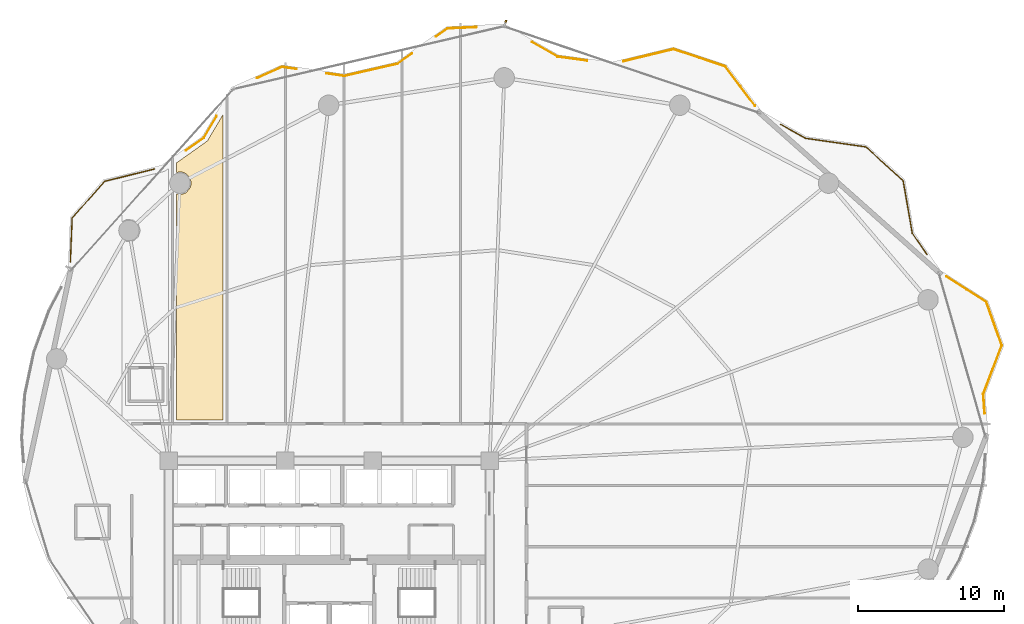
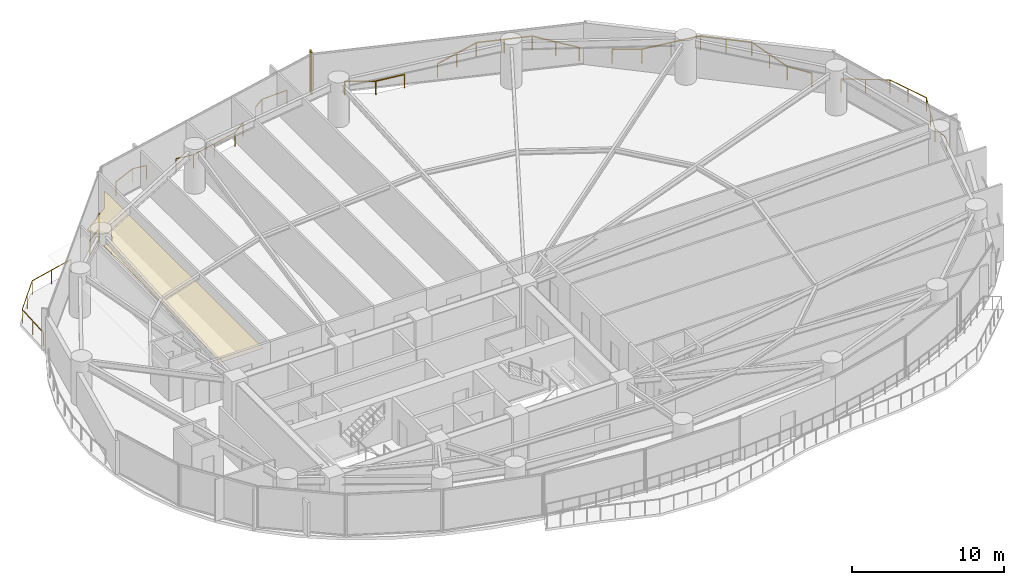
# One storey, part 31 of 31: 9 railings, 1 covering, 1 shading device.
"""IFC4 building model written with IfcOpenShell, lengths in metres."""

from ifc_helpers import new_model, si_unit, direction, frame, origin, origin_2d, place, context, subcontext, project, spatial, polyline, rectangle, outline, extrude, material, layer, layer_set, type_object, element, save


model = new_model("IFC4")

# Units and contexts
model_context = context("Model", 3, precision=1e-05, world=origin(), true_north=direction((0.0, 1.0)))
body_context = subcontext(model_context, "Body", "Model", "MODEL_VIEW")
ifc_project = project(units=[si_unit("LENGTHUNIT", "METRE"), si_unit("AREAUNIT", "SQUARE_METRE"), si_unit("VOLUMEUNIT", "CUBIC_METRE"), si_unit("PLANEANGLEUNIT", "RADIAN"), si_unit("MASSUNIT", "GRAM", prefix="KILO")], contexts=[model_context])

# Site, building, storey
site_placement = place(None, origin())
site = spatial("IfcSite", under=ifc_project, at=site_placement, CompositionType="ELEMENT")
building_placement = place(site_placement, origin())
building = spatial("IfcBuilding", under=site, at=building_placement, Name="Kazevale Care Tower and Concert Hall", CompositionType="ELEMENT")
storey_placement = place(building_placement, frame((0.0, 0.0, 81.60009765625)))
storey = spatial("IfcBuildingStorey", under=building, at=storey_placement, Name="L21", CompositionType="ELEMENT", Elevation=81.60009765625)

# Covering
ifc_material_1 = material(Name="Acoustic Plaster and Hinoki Wood", Category="wood")
ifc_layer = layer(ifc_material_1, 0.0400390625)
ifc_layer_set = layer_set([ifc_layer], Name="Acoustic Plaster and Hinoki Wood")
covering_type = type_object("IfcCoveringType", Name="Acoustic Perforated Wood-Gypsum Ceiling", PredefinedType="CEILING", material=ifc_layer_set)
covering_placement = place(storey_placement, frame((0.0, 0.0, 2.7099609375)))
element("IfcCovering", 1, at=covering_placement, inside=storey, type_object=covering_type, Name="clg:L21:2", PredefinedType="CEILING", context=body_context, shape_type="SweptSolid", body=[
    extrude(outline(polyline([(22.530029296875, 39.205078125), (22.530029296875, 54.68896484375), (22.912109375, 54.6650390625), (23.193115234375, 54.781005859375), (23.48095703125, 55.132080078125), (23.5400390625, 55.429931640625), (23.48095703125, 55.72802734375), (23.193115234375, 56.0791015625), (22.912109375, 56.195068359375), (22.530029296875, 56.1708984375), (22.530029296875, 56.818115234375), (24.64599609375, 58.322021484375), (25.719970703125, 60.1298828125), (25.719970703125, 39.205078125), (22.530029296875, 39.205078125)])), origin(), (0.0, 0.0, 1.0), 0.0400390625),
])

# Railings
ifc_material_2 = material(Name="Anodised Bronze Aluminium and Laminated Glass", Category="aluminium")
railing_type = type_object("IfcRailingType", Name="Balcony and Terrace Balustrade 1120", PredefinedType="BALUSTRADE", material=ifc_material_2)
railing_1_placement = place(storey_placement, frame((15.251953125, 50.034912109375, 0.0)))
element("IfcRailing", 2, at=railing_1_placement, inside=storey, type_object=railing_type, Name="rail:L21:perim:2", PredefinedType="BALUSTRADE", context=body_context, shape_type="SweptSolid", body=[
    extrude(rectangle(XDim=0.048095703125, YDim=0.048095703125, at=origin_2d()), frame((0.0, 0.0, 1.09619140625), z_axis=(0.041074605667, 0.999156082286, 0.0), x_axis=(-0.999156082286, 0.041074605667, 0.0)), (0.0, 0.0, 1.0), 2.99560546875),
    extrude(rectangle(XDim=0.048095703125, YDim=0.048095703125, at=origin_2d()), frame((0.123046875, 2.9931640625, 1.09619140625), z_axis=(0.660590227041, 0.750746662955, 0.0), x_axis=(-0.750746662955, 0.660590227041, 0.0)), (0.0, 0.0, 1.0), 3.360595703125),
    extrude(rectangle(XDim=0.048095703125, YDim=0.048095703125, at=origin_2d()), frame((2.343017578125, 5.51611328125, 1.09619140625), z_axis=(0.970746118015, 0.2401082555, 0.0), x_axis=(-0.2401082555, 0.970746118015, 0.0)), (0.0, 0.0, 1.0), 3.52734375),
    extrude(rectangle(XDim=0.0419921875, YDim=0.0419921875, at=origin_2d()), origin(), (0.0, 0.0, 1.0), 1.072021484375),
    extrude(rectangle(XDim=0.0419921875, YDim=0.0419921875, at=origin_2d()), frame((0.0615234375, 1.49658203125, 0.0)), (0.0, 0.0, 1.0), 1.072021484375),
    extrude(rectangle(XDim=0.0419921875, YDim=0.0419921875, at=origin_2d()), frame((0.123046875, 2.9931640625, 0.0)), (0.0, 0.0, 1.0), 1.072021484375),
    extrude(rectangle(XDim=0.0419921875, YDim=0.0419921875, at=origin_2d()), frame((1.23291015625, 4.254638671875, 0.0)), (0.0, 0.0, 1.0), 1.072021484375),
    extrude(rectangle(XDim=0.0419921875, YDim=0.0419921875, at=origin_2d()), frame((2.343017578125, 5.51611328125, 0.0)), (0.0, 0.0, 1.0), 1.072021484375),
    extrude(rectangle(XDim=0.0419921875, YDim=0.0419921875, at=origin_2d()), frame((4.05517578125, 5.939453125, 0.0)), (0.0, 0.0, 1.0), 1.072021484375),
    extrude(rectangle(XDim=0.0419921875, YDim=0.0419921875, at=origin_2d()), frame((5.76708984375, 6.363037109375, 0.0)), (0.0, 0.0, 1.0), 1.072021484375),
])
railing_2_placement = place(storey_placement, frame((23.18310546875, 57.675048828125, 0.0)))
element("IfcRailing", 3, at=railing_2_placement, inside=storey, type_object=railing_type, Name="rail:L21:perim:3", PredefinedType="BALUSTRADE", context=body_context, shape_type="SweptSolid", body=[
    extrude(rectangle(XDim=0.048095703125, YDim=0.048095703125, at=origin_2d()), frame((0.0, 0.0, 1.09619140625), z_axis=(0.815271476447, 0.579078940813, 0.0), x_axis=(-0.579078940813, 0.815271476447, 0.0)), (0.0, 0.0, 1.0), 1.498779296875),
    extrude(rectangle(XDim=0.048095703125, YDim=0.048095703125, at=origin_2d()), frame((1.221923828125, 0.867919921875, 1.09619140625), z_axis=(0.510989983653, 0.85958666614, 0.0), x_axis=(-0.85958666614, 0.510989983653, 0.0)), (0.0, 0.0, 1.0), 1.71240234375),
    extrude(rectangle(XDim=0.0419921875, YDim=0.0419921875, at=origin_2d()), origin(), (0.0, 0.0, 1.0), 1.072021484375),
    extrude(rectangle(XDim=0.0419921875, YDim=0.0419921875, at=origin_2d()), frame((1.221923828125, 0.867919921875, 0.0)), (0.0, 0.0, 1.0), 1.072021484375),
    extrude(rectangle(XDim=0.0419921875, YDim=0.0419921875, at=origin_2d()), frame((2.096923828125, 2.33984375, 0.0)), (0.0, 0.0, 1.0), 1.072021484375),
])
railing_3_placement = place(storey_placement, frame((28.0439453125, 62.62890625, 0.0)))
element("IfcRailing", 4, at=railing_3_placement, inside=storey, type_object=railing_type, Name="rail:L21:perim:4", PredefinedType="BALUSTRADE", context=body_context, shape_type="SweptSolid", body=[
    extrude(rectangle(XDim=0.048095703125, YDim=0.048095703125, at=origin_2d()), frame((0.0, 0.0, 1.09619140625), z_axis=(0.913352559242, 0.407169623777, 0.0), x_axis=(-0.407169623777, 0.913352559242, 0.0)), (0.0, 0.0, 1.0), 1.888671875),
    extrude(rectangle(XDim=0.048095703125, YDim=0.048095703125, at=origin_2d()), frame((1.72509765625, 0.76904296875, 1.09619140625), z_axis=(0.989558795052, -0.144129771854, 0.0), x_axis=(0.144129771854, 0.989558795052, 0.0)), (0.0, 0.0, 1.0), 0.984130859375),
    extrude(rectangle(XDim=0.0419921875, YDim=0.0419921875, at=origin_2d()), origin(), (0.0, 0.0, 1.0), 1.072021484375),
    extrude(rectangle(XDim=0.0419921875, YDim=0.0419921875, at=origin_2d()), frame((1.72509765625, 0.76904296875, 0.0)), (0.0, 0.0, 1.0), 1.072021484375),
    extrude(rectangle(XDim=0.0419921875, YDim=0.0419921875, at=origin_2d()), frame((2.698974609375, 0.627197265625, 0.0)), (0.0, 0.0, 1.0), 1.072021484375),
])
railing_4_placement = place(storey_placement, frame((32.80810546875, 62.9560546875, 0.0)))
element("IfcRailing", 5, at=railing_4_placement, inside=storey, type_object=railing_type, Name="rail:L21:perim:5", PredefinedType="BALUSTRADE", context=body_context, shape_type="SweptSolid", body=[
    extrude(rectangle(XDim=0.048095703125, YDim=0.048095703125, at=origin_2d()), frame((0.0, 0.0, 1.09619140625), z_axis=(0.989473394726, -0.144714896018, 0.0), x_axis=(0.144714896018, 0.989473394726, 0.0)), (0.0, 0.0, 1.0), 1.2451171875),
    extrude(rectangle(XDim=0.048095703125, YDim=0.048095703125, at=origin_2d()), frame((1.23193359375, -0.18017578125, 1.09619140625), z_axis=(0.974721611797, 0.223422871469, 0.0), x_axis=(-0.223422871469, 0.974721611797, 0.0)), (0.0, 0.0, 1.0), 3.72412109375),
    extrude(rectangle(XDim=0.048095703125, YDim=0.048095703125, at=origin_2d()), frame((4.86181640625, 0.65185546875, 1.09619140625), z_axis=(0.817531019455, 0.575884565021, 0.0), x_axis=(-0.575884565021, 0.817531019455, 0.0)), (0.0, 0.0, 1.0), 1.236572265625),
    extrude(rectangle(XDim=0.0419921875, YDim=0.0419921875, at=origin_2d()), origin(), (0.0, 0.0, 1.0), 1.072021484375),
    extrude(rectangle(XDim=0.0419921875, YDim=0.0419921875, at=origin_2d()), frame((1.23193359375, -0.18017578125, 0.0)), (0.0, 0.0, 1.0), 1.072021484375),
    extrude(rectangle(XDim=0.0419921875, YDim=0.0419921875, at=origin_2d()), frame((3.046875, 0.23583984375, 0.0)), (0.0, 0.0, 1.0), 1.072021484375),
    extrude(rectangle(XDim=0.0419921875, YDim=0.0419921875, at=origin_2d()), frame((4.86181640625, 0.65185546875, 0.0)), (0.0, 0.0, 1.0), 1.072021484375),
    extrude(rectangle(XDim=0.0419921875, YDim=0.0419921875, at=origin_2d()), frame((5.872802734375, 1.364013671875, 0.0)), (0.0, 0.0, 1.0), 1.072021484375),
])
railing_5_placement = place(storey_placement, frame((40.33203125, 65.48388671875, 0.0)))
element("IfcRailing", 6, at=railing_5_placement, inside=storey, type_object=railing_type, Name="rail:L21:perim:6", PredefinedType="BALUSTRADE", context=body_context, shape_type="SweptSolid", body=[
    extrude(rectangle(XDim=0.048095703125, YDim=0.048095703125, at=origin_2d()), frame((0.0, 0.0, 1.09619140625), z_axis=(0.81724423362, 0.576291473661, 0.0), x_axis=(-0.576291473661, 0.81724423362, 0.0)), (0.0, 0.0, 1.0), 0.954345703125),
    extrude(rectangle(XDim=0.048095703125, YDim=0.048095703125, at=origin_2d()), frame((0.780029296875, 0.550048828125, 1.09619140625), z_axis=(0.998979482106, 0.045166296416, 0.0), x_axis=(-0.045166296416, 0.998979482106, 0.0)), (0.0, 0.0, 1.0), 1.972900390625),
    extrude(rectangle(XDim=0.0419921875, YDim=0.0419921875, at=origin_2d()), origin(), (0.0, 0.0, 1.0), 1.072021484375),
    extrude(rectangle(XDim=0.0419921875, YDim=0.0419921875, at=origin_2d()), frame((0.780029296875, 0.550048828125, 0.0)), (0.0, 0.0, 1.0), 1.072021484375),
    extrude(rectangle(XDim=0.0419921875, YDim=0.0419921875, at=origin_2d()), frame((2.7509765625, 0.63916015625, 0.0)), (0.0, 0.0, 1.0), 1.072021484375),
])
railing_6_placement = place(storey_placement, frame((46.89404296875, 65.111083984375, 0.0)))
element("IfcRailing", 7, at=railing_6_placement, inside=storey, type_object=railing_type, Name="rail:L21:perim:7", PredefinedType="BALUSTRADE", context=body_context, shape_type="SweptSolid", body=[
    extrude(rectangle(XDim=0.048095703125, YDim=0.048095703125, at=origin_2d()), frame((0.0, 0.0, 1.09619140625), z_axis=(0.869101036599, -0.494634600673, 0.0), x_axis=(0.494634600673, 0.869101036599, 0.0)), (0.0, 0.0, 1.0), 2.0458984375),
    extrude(rectangle(XDim=0.048095703125, YDim=0.048095703125, at=origin_2d()), frame((1.778076171875, -1.011962890625, 1.09619140625), z_axis=(0.990941564824, -0.134293764205, 0.0), x_axis=(0.134293764205, 0.990941564824, 0.0)), (0.0, 0.0, 1.0), 2.0341796875),
    extrude(rectangle(XDim=0.0419921875, YDim=0.0419921875, at=origin_2d()), origin(), (0.0, 0.0, 1.0), 1.072021484375),
    extrude(rectangle(XDim=0.0419921875, YDim=0.0419921875, at=origin_2d()), frame((1.778076171875, -1.011962890625, 0.0)), (0.0, 0.0, 1.0), 1.072021484375),
    extrude(rectangle(XDim=0.0419921875, YDim=0.0419921875, at=origin_2d()), frame((3.7939453125, -1.28515625, 0.0)), (0.0, 0.0, 1.0), 1.072021484375),
])
railing_7_placement = place(storey_placement, frame((53.178955078125, 63.785888671875, 0.0)))
element("IfcRailing", 8, at=railing_7_placement, inside=storey, type_object=railing_type, Name="rail:L21:perim:8", PredefinedType="BALUSTRADE", context=body_context, shape_type="SweptSolid", body=[
    extrude(rectangle(XDim=0.048095703125, YDim=0.048095703125, at=origin_2d()), frame((0.0, 0.0, 1.09619140625), z_axis=(0.971976910222, 0.235076340782, 0.0), x_axis=(-0.235076340782, 0.971976910222, 0.0)), (0.0, 0.0, 1.0), 3.522705078125),
    extrude(rectangle(XDim=0.048095703125, YDim=0.048095703125, at=origin_2d()), frame((3.424072265625, 0.828125, 1.09619140625), z_axis=(0.948423028768, -0.317007505436, 0.0), x_axis=(0.317007505436, 0.948423028768, 0.0)), (0.0, 0.0, 1.0), 3.7568359375),
    extrude(rectangle(XDim=0.048095703125, YDim=0.048095703125, at=origin_2d()), frame((6.987060546875, -0.36279296875, 1.09619140625), z_axis=(0.6033118617, -0.797505358936, 0.0), x_axis=(0.797505358936, 0.6033118617, 0.0)), (0.0, 0.0, 1.0), 3.3681640625),
    extrude(rectangle(XDim=0.0419921875, YDim=0.0419921875, at=origin_2d()), origin(), (0.0, 0.0, 1.0), 1.072021484375),
    extrude(rectangle(XDim=0.0419921875, YDim=0.0419921875, at=origin_2d()), frame((1.7119140625, 0.4140625, 0.0)), (0.0, 0.0, 1.0), 1.072021484375),
    extrude(rectangle(XDim=0.0419921875, YDim=0.0419921875, at=origin_2d()), frame((3.424072265625, 0.828125, 0.0)), (0.0, 0.0, 1.0), 1.072021484375),
    extrude(rectangle(XDim=0.0419921875, YDim=0.0419921875, at=origin_2d()), frame((5.20556640625, 0.232666015625, 0.0)), (0.0, 0.0, 1.0), 1.072021484375),
    extrude(rectangle(XDim=0.0419921875, YDim=0.0419921875, at=origin_2d()), frame((6.987060546875, -0.36279296875, 0.0)), (0.0, 0.0, 1.0), 1.072021484375),
    extrude(rectangle(XDim=0.0419921875, YDim=0.0419921875, at=origin_2d()), frame((8.0029296875, -1.705810546875, 0.0)), (0.0, 0.0, 1.0), 1.072021484375),
    extrude(rectangle(XDim=0.0419921875, YDim=0.0419921875, at=origin_2d()), frame((9.01904296875, -3.048828125, 0.0)), (0.0, 0.0, 1.0), 1.072021484375),
])
railing_8_placement = place(storey_placement, frame((63.962890625, 59.4599609375, 0.0)))
element("IfcRailing", 9, at=railing_8_placement, inside=storey, type_object=railing_type, Name="rail:L21:perim:9", PredefinedType="BALUSTRADE", context=body_context, shape_type="SweptSolid", body=[
    extrude(rectangle(XDim=0.048095703125, YDim=0.048095703125, at=origin_2d()), frame((0.0, 0.0, 1.09619140625), z_axis=(0.87100743995, -0.491269823572, 0.0), x_axis=(0.491269823572, 0.87100743995, 0.0)), (0.0, 0.0, 1.0), 1.941650390625),
    extrude(rectangle(XDim=0.048095703125, YDim=0.048095703125, at=origin_2d()), frame((1.691162109375, -0.953857421875, 1.09619140625), z_axis=(0.989923784735, -0.141601202028, 0.0), x_axis=(0.141601202028, 0.989923784735, 0.0)), (0.0, 0.0, 1.0), 4.18115234375),
    extrude(rectangle(XDim=0.048095703125, YDim=0.048095703125, at=origin_2d()), frame((5.830078125, -1.5458984375, 1.09619140625), z_axis=(0.742300328983, -0.670067326163, 0.0), x_axis=(0.670067326163, 0.742300328983, 0.0)), (0.0, 0.0, 1.0), 3.447509765625),
    extrude(rectangle(XDim=0.048095703125, YDim=0.048095703125, at=origin_2d()), frame((8.38916015625, -3.85595703125, 1.09619140625), z_axis=(0.170970284775, -0.985276185505, 0.0), x_axis=(0.985276185505, 0.170970284775, 0.0)), (0.0, 0.0, 1.0), 3.6669921875),
    extrude(rectangle(XDim=0.048095703125, YDim=0.048095703125, at=origin_2d()), frame((9.01611328125, -7.468994140625, 1.09619140625), z_axis=(0.570574482476, -0.821245858405, 0.0), x_axis=(0.821245858405, 0.570574482476, 0.0)), (0.0, 0.0, 1.0), 1.766845703125),
    extrude(rectangle(XDim=0.0419921875, YDim=0.0419921875, at=origin_2d()), origin(), (0.0, 0.0, 1.0), 1.072021484375),
    extrude(rectangle(XDim=0.0419921875, YDim=0.0419921875, at=origin_2d()), frame((1.691162109375, -0.953857421875, 0.0)), (0.0, 0.0, 1.0), 1.072021484375),
    extrude(rectangle(XDim=0.0419921875, YDim=0.0419921875, at=origin_2d()), frame((3.7607421875, -1.25, 0.0)), (0.0, 0.0, 1.0), 1.072021484375),
    extrude(rectangle(XDim=0.0419921875, YDim=0.0419921875, at=origin_2d()), frame((5.830078125, -1.5458984375, 0.0)), (0.0, 0.0, 1.0), 1.072021484375),
    extrude(rectangle(XDim=0.0419921875, YDim=0.0419921875, at=origin_2d()), frame((7.109619140625, -2.700927734375, 0.0)), (0.0, 0.0, 1.0), 1.072021484375),
    extrude(rectangle(XDim=0.0419921875, YDim=0.0419921875, at=origin_2d()), frame((8.38916015625, -3.85595703125, 0.0)), (0.0, 0.0, 1.0), 1.072021484375),
    extrude(rectangle(XDim=0.0419921875, YDim=0.0419921875, at=origin_2d()), frame((8.70263671875, -5.66259765625, 0.0)), (0.0, 0.0, 1.0), 1.072021484375),
    extrude(rectangle(XDim=0.0419921875, YDim=0.0419921875, at=origin_2d()), frame((9.01611328125, -7.468994140625, 0.0)), (0.0, 0.0, 1.0), 1.072021484375),
    extrude(rectangle(XDim=0.0419921875, YDim=0.0419921875, at=origin_2d()), frame((10.024169921875, -8.919921875, 0.0)), (0.0, 0.0, 1.0), 1.072021484375),
])
railing_9_placement = place(storey_placement, frame((75.3349609375, 49.01708984375, 0.0)))
element("IfcRailing", 10, at=railing_9_placement, inside=storey, type_object=railing_type, Name="rail:L21:perim:11", PredefinedType="BALUSTRADE", context=body_context, shape_type="SweptSolid", body=[
    extrude(rectangle(XDim=0.048095703125, YDim=0.048095703125, at=origin_2d()), frame((0.0, 0.0, 1.09619140625), z_axis=(0.842161842335, -0.539224843006, 0.0), x_axis=(0.539224843006, 0.842161842335, 0.0)), (0.0, 0.0, 1.0), 3.238037109375),
    extrude(rectangle(XDim=0.048095703125, YDim=0.048095703125, at=origin_2d()), frame((2.72705078125, -1.74609375, 1.09619140625), z_axis=(0.336169134452, -0.941801631471, 0.0), x_axis=(0.941801631471, 0.336169134452, 0.0)), (0.0, 0.0, 1.0), 3.143798828125),
    extrude(rectangle(XDim=0.048095703125, YDim=0.048095703125, at=origin_2d()), frame((3.783935546875, -4.70703125, 1.09619140625), z_axis=(-0.356009559773, -0.934482313022, 0.0), x_axis=(0.934482313022, -0.356009559773, 0.0)), (0.0, 0.0, 1.0), 3.566650390625),
    extrude(rectangle(XDim=0.048095703125, YDim=0.048095703125, at=origin_2d()), frame((2.51416015625, -8.0400390625, 1.09619140625), z_axis=(0.070815678785, -0.997489418309, 0.0), x_axis=(0.997489418309, 0.070815678785, 0.0)), (0.0, 0.0, 1.0), 1.327392578125),
    extrude(rectangle(XDim=0.0419921875, YDim=0.0419921875, at=origin_2d()), origin(), (0.0, 0.0, 1.0), 1.072021484375),
    extrude(rectangle(XDim=0.0419921875, YDim=0.0419921875, at=origin_2d()), frame((1.363525390625, -0.873046875, 0.0)), (0.0, 0.0, 1.0), 1.072021484375),
    extrude(rectangle(XDim=0.0419921875, YDim=0.0419921875, at=origin_2d()), frame((2.72705078125, -1.74609375, 0.0)), (0.0, 0.0, 1.0), 1.072021484375),
    extrude(rectangle(XDim=0.0419921875, YDim=0.0419921875, at=origin_2d()), frame((3.25537109375, -3.2265625, 0.0)), (0.0, 0.0, 1.0), 1.072021484375),
    extrude(rectangle(XDim=0.0419921875, YDim=0.0419921875, at=origin_2d()), frame((3.783935546875, -4.70703125, 0.0)), (0.0, 0.0, 1.0), 1.072021484375),
    extrude(rectangle(XDim=0.0419921875, YDim=0.0419921875, at=origin_2d()), frame((3.14892578125, -6.37353515625, 0.0)), (0.0, 0.0, 1.0), 1.072021484375),
    extrude(rectangle(XDim=0.0419921875, YDim=0.0419921875, at=origin_2d()), frame((2.51416015625, -8.0400390625, 0.0)), (0.0, 0.0, 1.0), 1.072021484375),
    extrude(rectangle(XDim=0.0419921875, YDim=0.0419921875, at=origin_2d()), frame((2.608154296875, -9.364013671875, 0.0)), (0.0, 0.0, 1.0), 1.072021484375),
])

# Shading device
ifc_material_3 = material(Name="Honed Ochre Limestone", Category="masonry")
shading_device_type = type_object("IfcShadingDeviceType", Name="Vertical Honed Limestone Fin FIN-01", PredefinedType="USERDEFINED", material=ifc_material_3)
shading_device_placement = place(storey_placement, frame((45.08251953125, 66.41650390625, 0.0), z_axis=(0.0, 0.0, 1.0), x_axis=(0.320612990586, 0.947210277746, 0.0)))
element("IfcShadingDevice", 11, at=shading_device_placement, inside=storey, type_object=shading_device_type, Name="cw:L21:f16:fin", ObjectType="FIN", PredefinedType="USERDEFINED", context=body_context, shape_type="SweptSolid", body=[
    extrude(rectangle(XDim=0.3798828125, YDim=0.1201171875, at=origin_2d()), origin(), (0.0, 0.0, 1.0), 3.360107421875),
])

save(model, "model.ifc")
